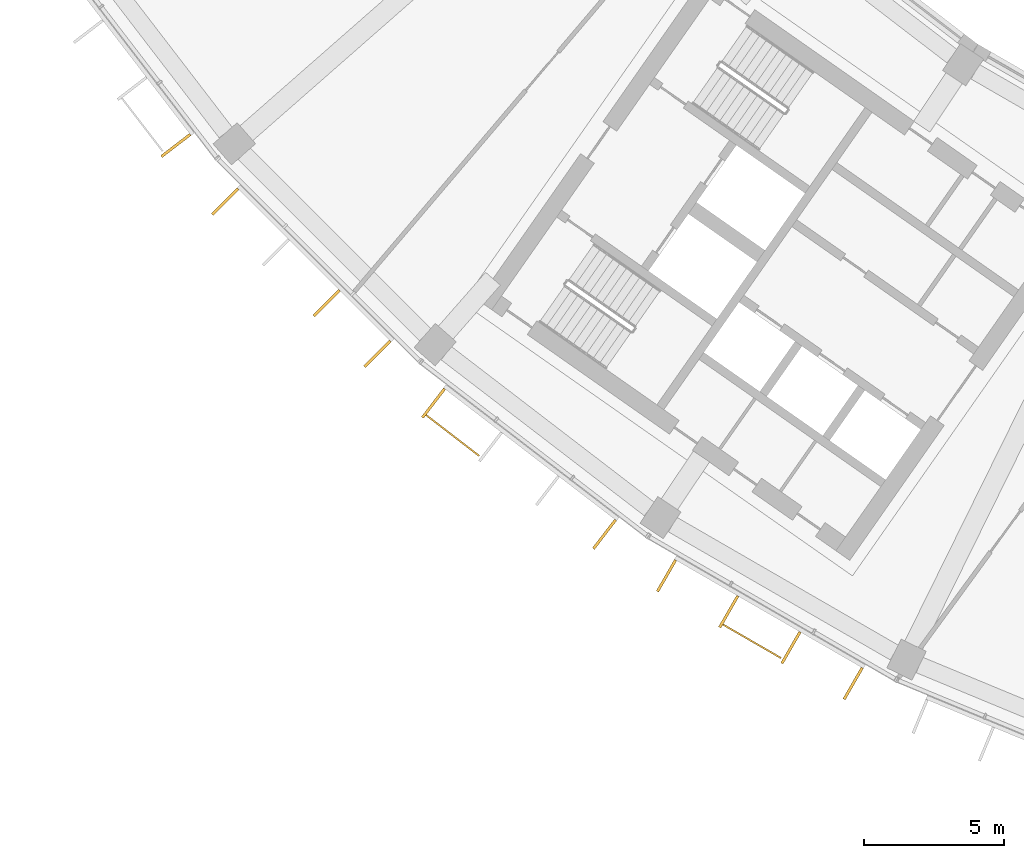
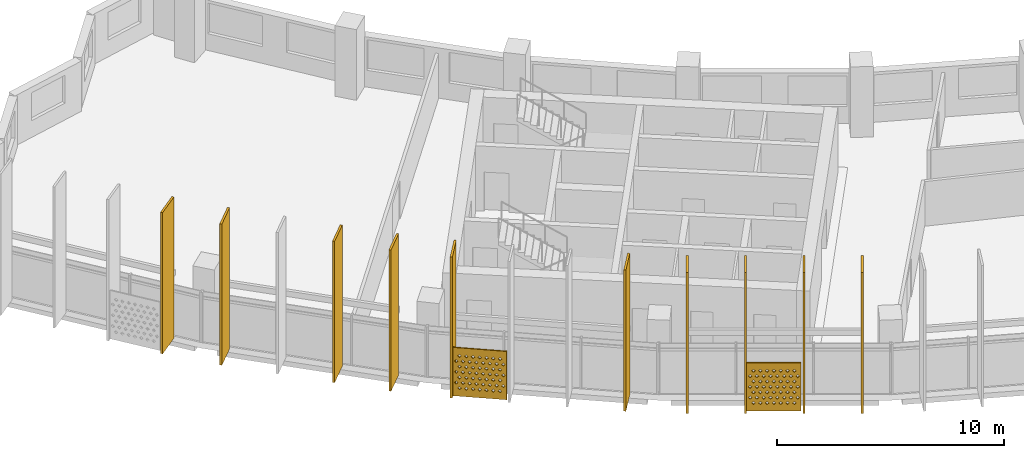
# One storey, part 22 of 28: 12 shading devices.
"""IFC4 building model written with IfcOpenShell, lengths in metres."""

from ifc_helpers import new_model, si_unit, direction, frame, origin, origin_2d, place, context, subcontext, project, spatial, polyline, rectangle, outline, extrude, material, material_profile, profile_set, type_object, element, save


model = new_model("IFC4")

# Units and contexts
model_context = context("Model", 3, precision=1e-05, world=origin(), true_north=direction((0.0, 1.0)))
body_context = subcontext(model_context, "Body", "Model", "MODEL_VIEW")
ifc_project = project(units=[si_unit("LENGTHUNIT", "METRE"), si_unit("AREAUNIT", "SQUARE_METRE"), si_unit("VOLUMEUNIT", "CUBIC_METRE"), si_unit("PLANEANGLEUNIT", "RADIAN"), si_unit("MASSUNIT", "GRAM", prefix="KILO")], contexts=[model_context])

# Site, building, storey
site_placement = place(None, origin())
site = spatial("IfcSite", under=ifc_project, at=site_placement, CompositionType="ELEMENT")
building_placement = place(site_placement, origin())
building = spatial("IfcBuilding", under=site, at=building_placement, Name="Qamariyya Broadcast Tower", CompositionType="ELEMENT")
storey_placement = place(building_placement, frame((0.0, 0.0, 241.699951171875)))
storey = spatial("IfcBuildingStorey", under=building, at=storey_placement, Name="L58", CompositionType="ELEMENT", Elevation=241.699951171875)

# Shading devices
ifc_material_1 = material(Name="Perforated glazed terracotta", Category="masonry")
ifc_material_profile_1 = material_profile(ifc_material_1, outline(polyline([(-1.199951171875, -1.300048828125), (1.199951171875, -1.300048828125), (1.199951171875, 1.300048828125), (-1.199951171875, 1.300048828125), (-1.199951171875, -1.300048828125)]), holes=[polyline([(-0.81494140625, -0.86669921875), (-0.89990234375, -0.78173828125), (-0.985107421875, -0.86669921875), (-0.89990234375, -0.95166015625), (-0.81494140625, -0.86669921875)]), polyline([(-0.514892578125, -0.86669921875), (-0.60009765625, -0.78173828125), (-0.68505859375, -0.86669921875), (-0.60009765625, -0.95166015625), (-0.514892578125, -0.86669921875)]), polyline([(-0.215087890625, -0.86669921875), (-0.300048828125, -0.78173828125), (-0.385009765625, -0.86669921875), (-0.300048828125, -0.95166015625), (-0.215087890625, -0.86669921875)]), polyline([(0.0849609375, -0.86669921875), (0.0, -0.78173828125), (-0.0849609375, -0.86669921875), (0.0, -0.95166015625), (0.0849609375, -0.86669921875)]), polyline([(0.385009765625, -0.86669921875), (0.300048828125, -0.78173828125), (0.215087890625, -0.86669921875), (0.300048828125, -0.95166015625), (0.385009765625, -0.86669921875)]), polyline([(0.68505859375, -0.86669921875), (0.60009765625, -0.78173828125), (0.514892578125, -0.86669921875), (0.60009765625, -0.95166015625), (0.68505859375, -0.86669921875)]), polyline([(0.985107421875, -0.86669921875), (0.89990234375, -0.78173828125), (0.81494140625, -0.86669921875), (0.89990234375, -0.95166015625), (0.985107421875, -0.86669921875)]), polyline([(-0.965087890625, -0.577880859375), (-1.050048828125, -0.49267578125), (-1.135009765625, -0.577880859375), (-1.050048828125, -0.662841796875), (-0.965087890625, -0.577880859375)]), polyline([(-0.6650390625, -0.577880859375), (-0.75, -0.49267578125), (-0.8349609375, -0.577880859375), (-0.75, -0.662841796875), (-0.6650390625, -0.577880859375)]), polyline([(-0.364990234375, -0.577880859375), (-0.449951171875, -0.49267578125), (-0.534912109375, -0.577880859375), (-0.449951171875, -0.662841796875), (-0.364990234375, -0.577880859375)]), polyline([(-0.06494140625, -0.577880859375), (-0.14990234375, -0.49267578125), (-0.235107421875, -0.577880859375), (-0.14990234375, -0.662841796875), (-0.06494140625, -0.577880859375)]), polyline([(0.235107421875, -0.577880859375), (0.14990234375, -0.49267578125), (0.06494140625, -0.577880859375), (0.14990234375, -0.662841796875), (0.235107421875, -0.577880859375)]), polyline([(0.534912109375, -0.577880859375), (0.449951171875, -0.49267578125), (0.364990234375, -0.577880859375), (0.449951171875, -0.662841796875), (0.534912109375, -0.577880859375)]), polyline([(0.8349609375, -0.577880859375), (0.75, -0.49267578125), (0.6650390625, -0.577880859375), (0.75, -0.662841796875), (0.8349609375, -0.577880859375)]), polyline([(1.135009765625, -0.577880859375), (1.050048828125, -0.49267578125), (0.965087890625, -0.577880859375), (1.050048828125, -0.662841796875), (1.135009765625, -0.577880859375)]), polyline([(-0.81494140625, -0.288818359375), (-0.89990234375, -0.203857421875), (-0.985107421875, -0.288818359375), (-0.89990234375, -0.373779296875), (-0.81494140625, -0.288818359375)]), polyline([(-0.514892578125, -0.288818359375), (-0.60009765625, -0.203857421875), (-0.68505859375, -0.288818359375), (-0.60009765625, -0.373779296875), (-0.514892578125, -0.288818359375)]), polyline([(-0.215087890625, -0.288818359375), (-0.300048828125, -0.203857421875), (-0.385009765625, -0.288818359375), (-0.300048828125, -0.373779296875), (-0.215087890625, -0.288818359375)]), polyline([(0.0849609375, -0.288818359375), (0.0, -0.203857421875), (-0.0849609375, -0.288818359375), (0.0, -0.373779296875), (0.0849609375, -0.288818359375)]), polyline([(0.385009765625, -0.288818359375), (0.300048828125, -0.203857421875), (0.215087890625, -0.288818359375), (0.300048828125, -0.373779296875), (0.385009765625, -0.288818359375)]), polyline([(0.68505859375, -0.288818359375), (0.60009765625, -0.203857421875), (0.514892578125, -0.288818359375), (0.60009765625, -0.373779296875), (0.68505859375, -0.288818359375)]), polyline([(0.985107421875, -0.288818359375), (0.89990234375, -0.203857421875), (0.81494140625, -0.288818359375), (0.89990234375, -0.373779296875), (0.985107421875, -0.288818359375)]), polyline([(-0.965087890625, 0.0), (-1.050048828125, 0.0849609375), (-1.135009765625, 0.0), (-1.050048828125, -0.0849609375), (-0.965087890625, 0.0)]), polyline([(-0.6650390625, 0.0), (-0.75, 0.0849609375), (-0.8349609375, 0.0), (-0.75, -0.0849609375), (-0.6650390625, 0.0)]), polyline([(-0.364990234375, 0.0), (-0.449951171875, 0.0849609375), (-0.534912109375, 0.0), (-0.449951171875, -0.0849609375), (-0.364990234375, 0.0)]), polyline([(-0.06494140625, 0.0), (-0.14990234375, 0.0849609375), (-0.235107421875, 0.0), (-0.14990234375, -0.0849609375), (-0.06494140625, 0.0)]), polyline([(0.235107421875, 0.0), (0.14990234375, 0.0849609375), (0.06494140625, 0.0), (0.14990234375, -0.0849609375), (0.235107421875, 0.0)]), polyline([(0.534912109375, 0.0), (0.449951171875, 0.0849609375), (0.364990234375, 0.0), (0.449951171875, -0.0849609375), (0.534912109375, 0.0)]), polyline([(0.8349609375, 0.0), (0.75, 0.0849609375), (0.6650390625, 0.0), (0.75, -0.0849609375), (0.8349609375, 0.0)]), polyline([(1.135009765625, 0.0), (1.050048828125, 0.0849609375), (0.965087890625, 0.0), (1.050048828125, -0.0849609375), (1.135009765625, 0.0)]), polyline([(-0.81494140625, 0.288818359375), (-0.89990234375, 0.373779296875), (-0.985107421875, 0.288818359375), (-0.89990234375, 0.203857421875), (-0.81494140625, 0.288818359375)]), polyline([(-0.514892578125, 0.288818359375), (-0.60009765625, 0.373779296875), (-0.68505859375, 0.288818359375), (-0.60009765625, 0.203857421875), (-0.514892578125, 0.288818359375)]), polyline([(-0.215087890625, 0.288818359375), (-0.300048828125, 0.373779296875), (-0.385009765625, 0.288818359375), (-0.300048828125, 0.203857421875), (-0.215087890625, 0.288818359375)]), polyline([(0.0849609375, 0.288818359375), (0.0, 0.373779296875), (-0.0849609375, 0.288818359375), (0.0, 0.203857421875), (0.0849609375, 0.288818359375)]), polyline([(0.385009765625, 0.288818359375), (0.300048828125, 0.373779296875), (0.215087890625, 0.288818359375), (0.300048828125, 0.203857421875), (0.385009765625, 0.288818359375)]), polyline([(0.68505859375, 0.288818359375), (0.60009765625, 0.373779296875), (0.514892578125, 0.288818359375), (0.60009765625, 0.203857421875), (0.68505859375, 0.288818359375)]), polyline([(0.985107421875, 0.288818359375), (0.89990234375, 0.373779296875), (0.81494140625, 0.288818359375), (0.89990234375, 0.203857421875), (0.985107421875, 0.288818359375)]), polyline([(-0.965087890625, 0.577880859375), (-1.050048828125, 0.662841796875), (-1.135009765625, 0.577880859375), (-1.050048828125, 0.49267578125), (-0.965087890625, 0.577880859375)]), polyline([(-0.6650390625, 0.577880859375), (-0.75, 0.662841796875), (-0.8349609375, 0.577880859375), (-0.75, 0.49267578125), (-0.6650390625, 0.577880859375)]), polyline([(-0.364990234375, 0.577880859375), (-0.449951171875, 0.662841796875), (-0.534912109375, 0.577880859375), (-0.449951171875, 0.49267578125), (-0.364990234375, 0.577880859375)]), polyline([(-0.06494140625, 0.577880859375), (-0.14990234375, 0.662841796875), (-0.235107421875, 0.577880859375), (-0.14990234375, 0.49267578125), (-0.06494140625, 0.577880859375)]), polyline([(0.235107421875, 0.577880859375), (0.14990234375, 0.662841796875), (0.06494140625, 0.577880859375), (0.14990234375, 0.49267578125), (0.235107421875, 0.577880859375)]), polyline([(0.534912109375, 0.577880859375), (0.449951171875, 0.662841796875), (0.364990234375, 0.577880859375), (0.449951171875, 0.49267578125), (0.534912109375, 0.577880859375)]), polyline([(0.8349609375, 0.577880859375), (0.75, 0.662841796875), (0.6650390625, 0.577880859375), (0.75, 0.49267578125), (0.8349609375, 0.577880859375)]), polyline([(1.135009765625, 0.577880859375), (1.050048828125, 0.662841796875), (0.965087890625, 0.577880859375), (1.050048828125, 0.49267578125), (1.135009765625, 0.577880859375)]), polyline([(-0.81494140625, 0.86669921875), (-0.89990234375, 0.95166015625), (-0.985107421875, 0.86669921875), (-0.89990234375, 0.78173828125), (-0.81494140625, 0.86669921875)]), polyline([(-0.514892578125, 0.86669921875), (-0.60009765625, 0.95166015625), (-0.68505859375, 0.86669921875), (-0.60009765625, 0.78173828125), (-0.514892578125, 0.86669921875)]), polyline([(-0.215087890625, 0.86669921875), (-0.300048828125, 0.95166015625), (-0.385009765625, 0.86669921875), (-0.300048828125, 0.78173828125), (-0.215087890625, 0.86669921875)]), polyline([(0.0849609375, 0.86669921875), (0.0, 0.95166015625), (-0.0849609375, 0.86669921875), (0.0, 0.78173828125), (0.0849609375, 0.86669921875)]), polyline([(0.385009765625, 0.86669921875), (0.300048828125, 0.95166015625), (0.215087890625, 0.86669921875), (0.300048828125, 0.78173828125), (0.385009765625, 0.86669921875)]), polyline([(0.68505859375, 0.86669921875), (0.60009765625, 0.95166015625), (0.514892578125, 0.86669921875), (0.60009765625, 0.78173828125), (0.68505859375, 0.86669921875)]), polyline([(0.985107421875, 0.86669921875), (0.89990234375, 0.95166015625), (0.81494140625, 0.86669921875), (0.89990234375, 0.78173828125), (0.985107421875, 0.86669921875)])]))
ifc_profile_set_1 = profile_set([ifc_material_profile_1], Name="Perforated glazed terracotta")
shading_device_type_1 = type_object("IfcShadingDeviceType", Name="Perforated terracotta screen 2400 x 2600", PredefinedType="USERDEFINED", material=ifc_profile_set_1)
shading_device_1_placement = place(storey_placement, frame((-50.61865234375, -61.68359375, 1.35009765625), z_axis=(-0.60971076085, -0.792623989105, 0.0), x_axis=(0.792623989105, -0.60971076085, 0.0)))
element("IfcShadingDevice", 1, at=shading_device_1_placement, inside=storey, type_object=shading_device_type_1, Name="e-scr-L58-03-0", ObjectType="SCREEN", PredefinedType="USERDEFINED", context=body_context, shape_type="SweptSolid", body=[
    extrude(outline(polyline([(-1.199951171875, -1.300048828125), (1.199951171875, -1.300048828125), (1.199951171875, 1.300048828125), (-1.199951171875, 1.300048828125), (-1.199951171875, -1.300048828125)]), holes=[polyline([(-0.81494140625, -0.86669921875), (-0.89990234375, -0.78173828125), (-0.985107421875, -0.86669921875), (-0.89990234375, -0.95166015625), (-0.81494140625, -0.86669921875)]), polyline([(-0.514892578125, -0.86669921875), (-0.60009765625, -0.78173828125), (-0.68505859375, -0.86669921875), (-0.60009765625, -0.95166015625), (-0.514892578125, -0.86669921875)]), polyline([(-0.215087890625, -0.86669921875), (-0.300048828125, -0.78173828125), (-0.385009765625, -0.86669921875), (-0.300048828125, -0.95166015625), (-0.215087890625, -0.86669921875)]), polyline([(0.0849609375, -0.86669921875), (0.0, -0.78173828125), (-0.0849609375, -0.86669921875), (0.0, -0.95166015625), (0.0849609375, -0.86669921875)]), polyline([(0.385009765625, -0.86669921875), (0.300048828125, -0.78173828125), (0.215087890625, -0.86669921875), (0.300048828125, -0.95166015625), (0.385009765625, -0.86669921875)]), polyline([(0.68505859375, -0.86669921875), (0.60009765625, -0.78173828125), (0.514892578125, -0.86669921875), (0.60009765625, -0.95166015625), (0.68505859375, -0.86669921875)]), polyline([(0.985107421875, -0.86669921875), (0.89990234375, -0.78173828125), (0.81494140625, -0.86669921875), (0.89990234375, -0.95166015625), (0.985107421875, -0.86669921875)]), polyline([(-0.965087890625, -0.577880859375), (-1.050048828125, -0.49267578125), (-1.135009765625, -0.577880859375), (-1.050048828125, -0.662841796875), (-0.965087890625, -0.577880859375)]), polyline([(-0.6650390625, -0.577880859375), (-0.75, -0.49267578125), (-0.8349609375, -0.577880859375), (-0.75, -0.662841796875), (-0.6650390625, -0.577880859375)]), polyline([(-0.364990234375, -0.577880859375), (-0.449951171875, -0.49267578125), (-0.534912109375, -0.577880859375), (-0.449951171875, -0.662841796875), (-0.364990234375, -0.577880859375)]), polyline([(-0.06494140625, -0.577880859375), (-0.14990234375, -0.49267578125), (-0.235107421875, -0.577880859375), (-0.14990234375, -0.662841796875), (-0.06494140625, -0.577880859375)]), polyline([(0.235107421875, -0.577880859375), (0.14990234375, -0.49267578125), (0.06494140625, -0.577880859375), (0.14990234375, -0.662841796875), (0.235107421875, -0.577880859375)]), polyline([(0.534912109375, -0.577880859375), (0.449951171875, -0.49267578125), (0.364990234375, -0.577880859375), (0.449951171875, -0.662841796875), (0.534912109375, -0.577880859375)]), polyline([(0.8349609375, -0.577880859375), (0.75, -0.49267578125), (0.6650390625, -0.577880859375), (0.75, -0.662841796875), (0.8349609375, -0.577880859375)]), polyline([(1.135009765625, -0.577880859375), (1.050048828125, -0.49267578125), (0.965087890625, -0.577880859375), (1.050048828125, -0.662841796875), (1.135009765625, -0.577880859375)]), polyline([(-0.81494140625, -0.288818359375), (-0.89990234375, -0.203857421875), (-0.985107421875, -0.288818359375), (-0.89990234375, -0.373779296875), (-0.81494140625, -0.288818359375)]), polyline([(-0.514892578125, -0.288818359375), (-0.60009765625, -0.203857421875), (-0.68505859375, -0.288818359375), (-0.60009765625, -0.373779296875), (-0.514892578125, -0.288818359375)]), polyline([(-0.215087890625, -0.288818359375), (-0.300048828125, -0.203857421875), (-0.385009765625, -0.288818359375), (-0.300048828125, -0.373779296875), (-0.215087890625, -0.288818359375)]), polyline([(0.0849609375, -0.288818359375), (0.0, -0.203857421875), (-0.0849609375, -0.288818359375), (0.0, -0.373779296875), (0.0849609375, -0.288818359375)]), polyline([(0.385009765625, -0.288818359375), (0.300048828125, -0.203857421875), (0.215087890625, -0.288818359375), (0.300048828125, -0.373779296875), (0.385009765625, -0.288818359375)]), polyline([(0.68505859375, -0.288818359375), (0.60009765625, -0.203857421875), (0.514892578125, -0.288818359375), (0.60009765625, -0.373779296875), (0.68505859375, -0.288818359375)]), polyline([(0.985107421875, -0.288818359375), (0.89990234375, -0.203857421875), (0.81494140625, -0.288818359375), (0.89990234375, -0.373779296875), (0.985107421875, -0.288818359375)]), polyline([(-0.965087890625, 0.0), (-1.050048828125, 0.0849609375), (-1.135009765625, 0.0), (-1.050048828125, -0.0849609375), (-0.965087890625, 0.0)]), polyline([(-0.6650390625, 0.0), (-0.75, 0.0849609375), (-0.8349609375, 0.0), (-0.75, -0.0849609375), (-0.6650390625, 0.0)]), polyline([(-0.364990234375, 0.0), (-0.449951171875, 0.0849609375), (-0.534912109375, 0.0), (-0.449951171875, -0.0849609375), (-0.364990234375, 0.0)]), polyline([(-0.06494140625, 0.0), (-0.14990234375, 0.0849609375), (-0.235107421875, 0.0), (-0.14990234375, -0.0849609375), (-0.06494140625, 0.0)]), polyline([(0.235107421875, 0.0), (0.14990234375, 0.0849609375), (0.06494140625, 0.0), (0.14990234375, -0.0849609375), (0.235107421875, 0.0)]), polyline([(0.534912109375, 0.0), (0.449951171875, 0.0849609375), (0.364990234375, 0.0), (0.449951171875, -0.0849609375), (0.534912109375, 0.0)]), polyline([(0.8349609375, 0.0), (0.75, 0.0849609375), (0.6650390625, 0.0), (0.75, -0.0849609375), (0.8349609375, 0.0)]), polyline([(1.135009765625, 0.0), (1.050048828125, 0.0849609375), (0.965087890625, 0.0), (1.050048828125, -0.0849609375), (1.135009765625, 0.0)]), polyline([(-0.81494140625, 0.288818359375), (-0.89990234375, 0.373779296875), (-0.985107421875, 0.288818359375), (-0.89990234375, 0.203857421875), (-0.81494140625, 0.288818359375)]), polyline([(-0.514892578125, 0.288818359375), (-0.60009765625, 0.373779296875), (-0.68505859375, 0.288818359375), (-0.60009765625, 0.203857421875), (-0.514892578125, 0.288818359375)]), polyline([(-0.215087890625, 0.288818359375), (-0.300048828125, 0.373779296875), (-0.385009765625, 0.288818359375), (-0.300048828125, 0.203857421875), (-0.215087890625, 0.288818359375)]), polyline([(0.0849609375, 0.288818359375), (0.0, 0.373779296875), (-0.0849609375, 0.288818359375), (0.0, 0.203857421875), (0.0849609375, 0.288818359375)]), polyline([(0.385009765625, 0.288818359375), (0.300048828125, 0.373779296875), (0.215087890625, 0.288818359375), (0.300048828125, 0.203857421875), (0.385009765625, 0.288818359375)]), polyline([(0.68505859375, 0.288818359375), (0.60009765625, 0.373779296875), (0.514892578125, 0.288818359375), (0.60009765625, 0.203857421875), (0.68505859375, 0.288818359375)]), polyline([(0.985107421875, 0.288818359375), (0.89990234375, 0.373779296875), (0.81494140625, 0.288818359375), (0.89990234375, 0.203857421875), (0.985107421875, 0.288818359375)]), polyline([(-0.965087890625, 0.577880859375), (-1.050048828125, 0.662841796875), (-1.135009765625, 0.577880859375), (-1.050048828125, 0.49267578125), (-0.965087890625, 0.577880859375)]), polyline([(-0.6650390625, 0.577880859375), (-0.75, 0.662841796875), (-0.8349609375, 0.577880859375), (-0.75, 0.49267578125), (-0.6650390625, 0.577880859375)]), polyline([(-0.364990234375, 0.577880859375), (-0.449951171875, 0.662841796875), (-0.534912109375, 0.577880859375), (-0.449951171875, 0.49267578125), (-0.364990234375, 0.577880859375)]), polyline([(-0.06494140625, 0.577880859375), (-0.14990234375, 0.662841796875), (-0.235107421875, 0.577880859375), (-0.14990234375, 0.49267578125), (-0.06494140625, 0.577880859375)]), polyline([(0.235107421875, 0.577880859375), (0.14990234375, 0.662841796875), (0.06494140625, 0.577880859375), (0.14990234375, 0.49267578125), (0.235107421875, 0.577880859375)]), polyline([(0.534912109375, 0.577880859375), (0.449951171875, 0.662841796875), (0.364990234375, 0.577880859375), (0.449951171875, 0.49267578125), (0.534912109375, 0.577880859375)]), polyline([(0.8349609375, 0.577880859375), (0.75, 0.662841796875), (0.6650390625, 0.577880859375), (0.75, 0.49267578125), (0.8349609375, 0.577880859375)]), polyline([(1.135009765625, 0.577880859375), (1.050048828125, 0.662841796875), (0.965087890625, 0.577880859375), (1.050048828125, 0.49267578125), (1.135009765625, 0.577880859375)]), polyline([(-0.81494140625, 0.86669921875), (-0.89990234375, 0.95166015625), (-0.985107421875, 0.86669921875), (-0.89990234375, 0.78173828125), (-0.81494140625, 0.86669921875)]), polyline([(-0.514892578125, 0.86669921875), (-0.60009765625, 0.95166015625), (-0.68505859375, 0.86669921875), (-0.60009765625, 0.78173828125), (-0.514892578125, 0.86669921875)]), polyline([(-0.215087890625, 0.86669921875), (-0.300048828125, 0.95166015625), (-0.385009765625, 0.86669921875), (-0.300048828125, 0.78173828125), (-0.215087890625, 0.86669921875)]), polyline([(0.0849609375, 0.86669921875), (0.0, 0.95166015625), (-0.0849609375, 0.86669921875), (0.0, 0.78173828125), (0.0849609375, 0.86669921875)]), polyline([(0.385009765625, 0.86669921875), (0.300048828125, 0.95166015625), (0.215087890625, 0.86669921875), (0.300048828125, 0.78173828125), (0.385009765625, 0.86669921875)]), polyline([(0.68505859375, 0.86669921875), (0.60009765625, 0.95166015625), (0.514892578125, 0.86669921875), (0.60009765625, 0.78173828125), (0.68505859375, 0.86669921875)]), polyline([(0.985107421875, 0.86669921875), (0.89990234375, 0.95166015625), (0.81494140625, 0.86669921875), (0.89990234375, 0.78173828125), (0.985107421875, 0.86669921875)])]), origin(), (0.0, 0.0, 1.0), 0.06005859375),
])
shading_device_2_placement = place(storey_placement, frame((-39.906982421875, -69.048828125, 1.35009765625), z_axis=(-0.500074377092, -0.865982457891, 0.0), x_axis=(0.865982457891, -0.500074377092, 0.0)))
element("IfcShadingDevice", 2, at=shading_device_2_placement, inside=storey, type_object=shading_device_type_1, Name="e-scr-L58-04-1", ObjectType="SCREEN", PredefinedType="USERDEFINED", context=body_context, shape_type="SweptSolid", body=[
    extrude(outline(polyline([(-1.199951171875, -1.300048828125), (1.199951171875, -1.300048828125), (1.199951171875, 1.300048828125), (-1.199951171875, 1.300048828125), (-1.199951171875, -1.300048828125)]), holes=[polyline([(-0.81494140625, -0.86669921875), (-0.89990234375, -0.78173828125), (-0.985107421875, -0.86669921875), (-0.89990234375, -0.95166015625), (-0.81494140625, -0.86669921875)]), polyline([(-0.514892578125, -0.86669921875), (-0.60009765625, -0.78173828125), (-0.68505859375, -0.86669921875), (-0.60009765625, -0.95166015625), (-0.514892578125, -0.86669921875)]), polyline([(-0.215087890625, -0.86669921875), (-0.300048828125, -0.78173828125), (-0.385009765625, -0.86669921875), (-0.300048828125, -0.95166015625), (-0.215087890625, -0.86669921875)]), polyline([(0.0849609375, -0.86669921875), (0.0, -0.78173828125), (-0.0849609375, -0.86669921875), (0.0, -0.95166015625), (0.0849609375, -0.86669921875)]), polyline([(0.385009765625, -0.86669921875), (0.300048828125, -0.78173828125), (0.215087890625, -0.86669921875), (0.300048828125, -0.95166015625), (0.385009765625, -0.86669921875)]), polyline([(0.68505859375, -0.86669921875), (0.60009765625, -0.78173828125), (0.514892578125, -0.86669921875), (0.60009765625, -0.95166015625), (0.68505859375, -0.86669921875)]), polyline([(0.985107421875, -0.86669921875), (0.89990234375, -0.78173828125), (0.81494140625, -0.86669921875), (0.89990234375, -0.95166015625), (0.985107421875, -0.86669921875)]), polyline([(-0.965087890625, -0.577880859375), (-1.050048828125, -0.49267578125), (-1.135009765625, -0.577880859375), (-1.050048828125, -0.662841796875), (-0.965087890625, -0.577880859375)]), polyline([(-0.6650390625, -0.577880859375), (-0.75, -0.49267578125), (-0.8349609375, -0.577880859375), (-0.75, -0.662841796875), (-0.6650390625, -0.577880859375)]), polyline([(-0.364990234375, -0.577880859375), (-0.449951171875, -0.49267578125), (-0.534912109375, -0.577880859375), (-0.449951171875, -0.662841796875), (-0.364990234375, -0.577880859375)]), polyline([(-0.06494140625, -0.577880859375), (-0.14990234375, -0.49267578125), (-0.235107421875, -0.577880859375), (-0.14990234375, -0.662841796875), (-0.06494140625, -0.577880859375)]), polyline([(0.235107421875, -0.577880859375), (0.14990234375, -0.49267578125), (0.06494140625, -0.577880859375), (0.14990234375, -0.662841796875), (0.235107421875, -0.577880859375)]), polyline([(0.534912109375, -0.577880859375), (0.449951171875, -0.49267578125), (0.364990234375, -0.577880859375), (0.449951171875, -0.662841796875), (0.534912109375, -0.577880859375)]), polyline([(0.8349609375, -0.577880859375), (0.75, -0.49267578125), (0.6650390625, -0.577880859375), (0.75, -0.662841796875), (0.8349609375, -0.577880859375)]), polyline([(1.135009765625, -0.577880859375), (1.050048828125, -0.49267578125), (0.965087890625, -0.577880859375), (1.050048828125, -0.662841796875), (1.135009765625, -0.577880859375)]), polyline([(-0.81494140625, -0.288818359375), (-0.89990234375, -0.203857421875), (-0.985107421875, -0.288818359375), (-0.89990234375, -0.373779296875), (-0.81494140625, -0.288818359375)]), polyline([(-0.514892578125, -0.288818359375), (-0.60009765625, -0.203857421875), (-0.68505859375, -0.288818359375), (-0.60009765625, -0.373779296875), (-0.514892578125, -0.288818359375)]), polyline([(-0.215087890625, -0.288818359375), (-0.300048828125, -0.203857421875), (-0.385009765625, -0.288818359375), (-0.300048828125, -0.373779296875), (-0.215087890625, -0.288818359375)]), polyline([(0.0849609375, -0.288818359375), (0.0, -0.203857421875), (-0.0849609375, -0.288818359375), (0.0, -0.373779296875), (0.0849609375, -0.288818359375)]), polyline([(0.385009765625, -0.288818359375), (0.300048828125, -0.203857421875), (0.215087890625, -0.288818359375), (0.300048828125, -0.373779296875), (0.385009765625, -0.288818359375)]), polyline([(0.68505859375, -0.288818359375), (0.60009765625, -0.203857421875), (0.514892578125, -0.288818359375), (0.60009765625, -0.373779296875), (0.68505859375, -0.288818359375)]), polyline([(0.985107421875, -0.288818359375), (0.89990234375, -0.203857421875), (0.81494140625, -0.288818359375), (0.89990234375, -0.373779296875), (0.985107421875, -0.288818359375)]), polyline([(-0.965087890625, 0.0), (-1.050048828125, 0.0849609375), (-1.135009765625, 0.0), (-1.050048828125, -0.0849609375), (-0.965087890625, 0.0)]), polyline([(-0.6650390625, 0.0), (-0.75, 0.0849609375), (-0.8349609375, 0.0), (-0.75, -0.0849609375), (-0.6650390625, 0.0)]), polyline([(-0.364990234375, 0.0), (-0.449951171875, 0.0849609375), (-0.534912109375, 0.0), (-0.449951171875, -0.0849609375), (-0.364990234375, 0.0)]), polyline([(-0.06494140625, 0.0), (-0.14990234375, 0.0849609375), (-0.235107421875, 0.0), (-0.14990234375, -0.0849609375), (-0.06494140625, 0.0)]), polyline([(0.235107421875, 0.0), (0.14990234375, 0.0849609375), (0.06494140625, 0.0), (0.14990234375, -0.0849609375), (0.235107421875, 0.0)]), polyline([(0.534912109375, 0.0), (0.449951171875, 0.0849609375), (0.364990234375, 0.0), (0.449951171875, -0.0849609375), (0.534912109375, 0.0)]), polyline([(0.8349609375, 0.0), (0.75, 0.0849609375), (0.6650390625, 0.0), (0.75, -0.0849609375), (0.8349609375, 0.0)]), polyline([(1.135009765625, 0.0), (1.050048828125, 0.0849609375), (0.965087890625, 0.0), (1.050048828125, -0.0849609375), (1.135009765625, 0.0)]), polyline([(-0.81494140625, 0.288818359375), (-0.89990234375, 0.373779296875), (-0.985107421875, 0.288818359375), (-0.89990234375, 0.203857421875), (-0.81494140625, 0.288818359375)]), polyline([(-0.514892578125, 0.288818359375), (-0.60009765625, 0.373779296875), (-0.68505859375, 0.288818359375), (-0.60009765625, 0.203857421875), (-0.514892578125, 0.288818359375)]), polyline([(-0.215087890625, 0.288818359375), (-0.300048828125, 0.373779296875), (-0.385009765625, 0.288818359375), (-0.300048828125, 0.203857421875), (-0.215087890625, 0.288818359375)]), polyline([(0.0849609375, 0.288818359375), (0.0, 0.373779296875), (-0.0849609375, 0.288818359375), (0.0, 0.203857421875), (0.0849609375, 0.288818359375)]), polyline([(0.385009765625, 0.288818359375), (0.300048828125, 0.373779296875), (0.215087890625, 0.288818359375), (0.300048828125, 0.203857421875), (0.385009765625, 0.288818359375)]), polyline([(0.68505859375, 0.288818359375), (0.60009765625, 0.373779296875), (0.514892578125, 0.288818359375), (0.60009765625, 0.203857421875), (0.68505859375, 0.288818359375)]), polyline([(0.985107421875, 0.288818359375), (0.89990234375, 0.373779296875), (0.81494140625, 0.288818359375), (0.89990234375, 0.203857421875), (0.985107421875, 0.288818359375)]), polyline([(-0.965087890625, 0.577880859375), (-1.050048828125, 0.662841796875), (-1.135009765625, 0.577880859375), (-1.050048828125, 0.49267578125), (-0.965087890625, 0.577880859375)]), polyline([(-0.6650390625, 0.577880859375), (-0.75, 0.662841796875), (-0.8349609375, 0.577880859375), (-0.75, 0.49267578125), (-0.6650390625, 0.577880859375)]), polyline([(-0.364990234375, 0.577880859375), (-0.449951171875, 0.662841796875), (-0.534912109375, 0.577880859375), (-0.449951171875, 0.49267578125), (-0.364990234375, 0.577880859375)]), polyline([(-0.06494140625, 0.577880859375), (-0.14990234375, 0.662841796875), (-0.235107421875, 0.577880859375), (-0.14990234375, 0.49267578125), (-0.06494140625, 0.577880859375)]), polyline([(0.235107421875, 0.577880859375), (0.14990234375, 0.662841796875), (0.06494140625, 0.577880859375), (0.14990234375, 0.49267578125), (0.235107421875, 0.577880859375)]), polyline([(0.534912109375, 0.577880859375), (0.449951171875, 0.662841796875), (0.364990234375, 0.577880859375), (0.449951171875, 0.49267578125), (0.534912109375, 0.577880859375)]), polyline([(0.8349609375, 0.577880859375), (0.75, 0.662841796875), (0.6650390625, 0.577880859375), (0.75, 0.49267578125), (0.8349609375, 0.577880859375)]), polyline([(1.135009765625, 0.577880859375), (1.050048828125, 0.662841796875), (0.965087890625, 0.577880859375), (1.050048828125, 0.49267578125), (1.135009765625, 0.577880859375)]), polyline([(-0.81494140625, 0.86669921875), (-0.89990234375, 0.95166015625), (-0.985107421875, 0.86669921875), (-0.89990234375, 0.78173828125), (-0.81494140625, 0.86669921875)]), polyline([(-0.514892578125, 0.86669921875), (-0.60009765625, 0.95166015625), (-0.68505859375, 0.86669921875), (-0.60009765625, 0.78173828125), (-0.514892578125, 0.86669921875)]), polyline([(-0.215087890625, 0.86669921875), (-0.300048828125, 0.95166015625), (-0.385009765625, 0.86669921875), (-0.300048828125, 0.78173828125), (-0.215087890625, 0.86669921875)]), polyline([(0.0849609375, 0.86669921875), (0.0, 0.95166015625), (-0.0849609375, 0.86669921875), (0.0, 0.78173828125), (0.0849609375, 0.86669921875)]), polyline([(0.385009765625, 0.86669921875), (0.300048828125, 0.95166015625), (0.215087890625, 0.86669921875), (0.300048828125, 0.78173828125), (0.385009765625, 0.86669921875)]), polyline([(0.68505859375, 0.86669921875), (0.60009765625, 0.95166015625), (0.514892578125, 0.86669921875), (0.60009765625, 0.78173828125), (0.68505859375, 0.86669921875)]), polyline([(0.985107421875, 0.86669921875), (0.89990234375, 0.95166015625), (0.81494140625, 0.86669921875), (0.89990234375, 0.78173828125), (0.985107421875, 0.86669921875)])]), origin(), (0.0, 0.0, 1.0), 0.06005859375),
])
ifc_material_2 = material(Name="Glazed terracotta", Category="masonry")
ifc_material_profile_2 = material_profile(ifc_material_2, rectangle(XDim=1.300048828125, YDim=0.10009765625, at=origin_2d()))
ifc_profile_set_2 = profile_set([ifc_material_profile_2], Name="Glazed terracotta")
shading_device_type_2 = type_object("IfcShadingDeviceType", Name="Terracotta fin 100 x 1300", PredefinedType="USERDEFINED", material=ifc_profile_set_2)
for number, where, z_axis, x_axis, name in (
    (3, (-60.5498046875, -51.32421875, 0.0), (0.0, 0.0, 1.0), (-0.793353340291, -0.608761429009, 0.0), "e-fin-L58-01-3"),
    (4, (-58.78857421875, -53.33251953125, 0.0), (0.0, 0.0, 1.0), (-0.707106781187, -0.707106781187, 0.0), "e-fin-L58-02-0"),
    (5, (-55.151123046875, -56.969970703125, 0.0), (0.0, 0.0, 1.0), (-0.707106781187, -0.707106781187, 0.0), "e-fin-L58-02-2"),
    (6, (-53.33251953125, -58.78857421875, 0.0), (0.0, 0.0, 1.0), (-0.707106781187, -0.707106781187, 0.0), "e-fin-L58-02-3"),
    (7, (-51.32421875, -60.5498046875, 0.0), (0.0, 0.0, 1.0), (-0.608761429009, -0.793353340291, 0.0), "e-fin-L58-03-0"),
    (8, (-45.202880859375, -65.246826171875, 0.0), (0.0, 0.0, 1.0), (-0.608761429009, -0.793353340291, 0.0), "e-fin-L58-03-3"),
    (9, (-42.98193359375, -66.73095703125, 0.0), (0.0, 0.0, 1.0), (-0.5, -0.866025403784, 0.0), "e-fin-L58-04-0"),
    (10, (-40.75439453125, -68.016845703125, 0.0), (0.0, 0.0, 1.0), (-0.5, -0.866025403784, 0.0), "e-fin-L58-04-1"),
    (11, (-38.527099609375, -69.302978515625, 0.0), (0.0, 0.0, 1.0), (-0.5, -0.866025403784, 0.0), "e-fin-L58-04-2"),
    (12, (-36.2998046875, -70.5888671875, 0.0), (0.0, 0.0, 1.0), (-0.5, -0.866025403784, 0.0), "e-fin-L58-04-3"),
):
    element("IfcShadingDevice", number, at=place(storey_placement, frame(where, z_axis=z_axis, x_axis=x_axis)), inside=storey, type_object=shading_device_type_2, Name=name, ObjectType="FIN", PredefinedType="USERDEFINED", context=body_context, shape_type="SweptSolid", body=[
        extrude(rectangle(XDim=1.300048828125, YDim=0.10009765625, at=origin_2d()), origin(), (0.0, 0.0, 1.0), 7.60009765625),
    ])

save(model, "model.ifc")
